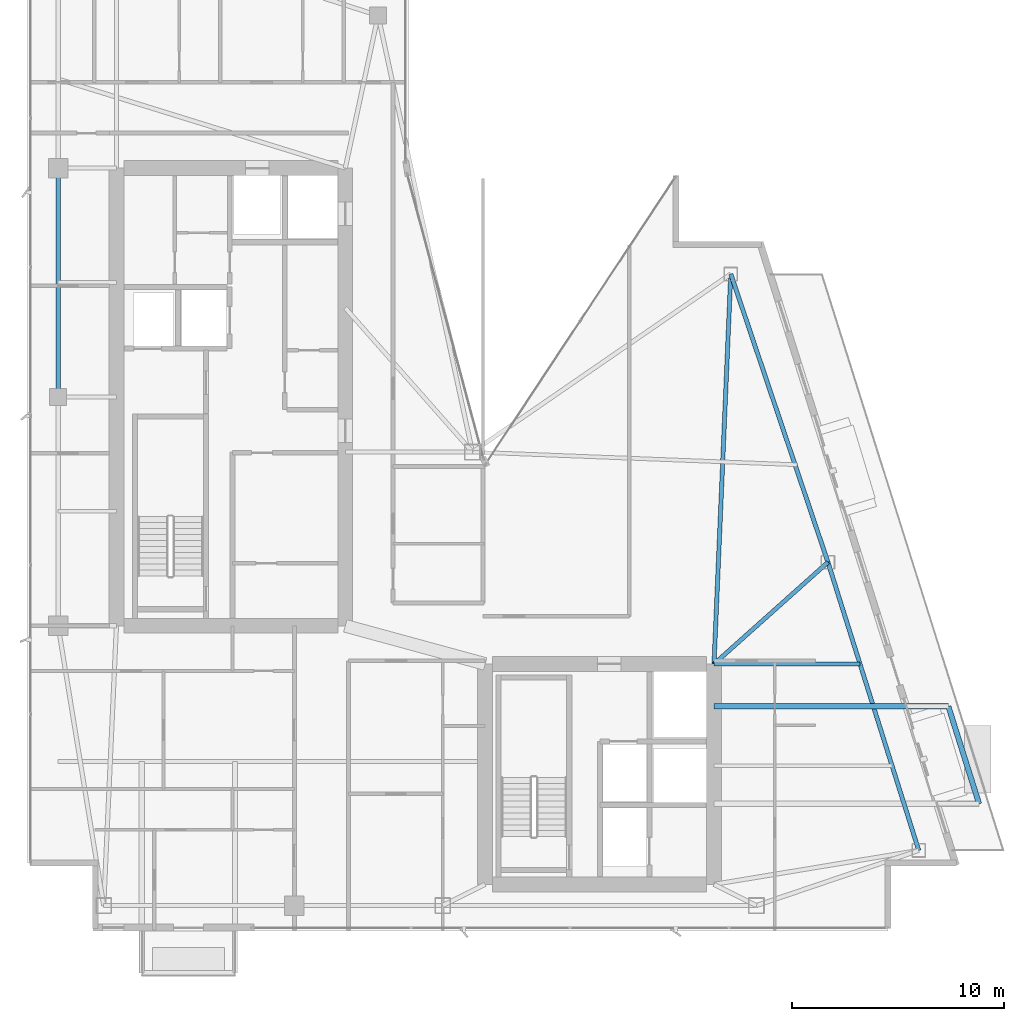
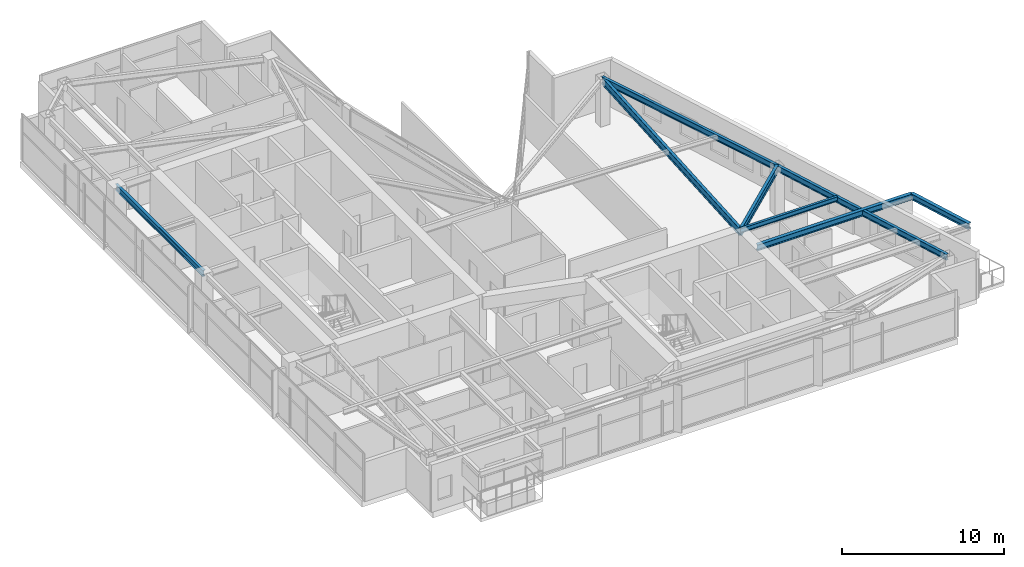
# One storey, part 15 of 28: 8 beams.
"""IFC4 building model written with IfcOpenShell, lengths in metres."""

from ifc_helpers import new_model, si_unit, direction, frame, origin, origin_2d, place, context, subcontext, project, spatial, i_section, extrude, material, material_profile, profile_set, type_object, element, save


model = new_model("IFC4")

# Units and contexts
model_context = context("Model", 3, precision=1e-05, world=origin(), true_north=direction((0.0, 1.0)))
body_context = subcontext(model_context, "Body", "Model", "MODEL_VIEW")
ifc_project = project(units=[si_unit("LENGTHUNIT", "METRE"), si_unit("AREAUNIT", "SQUARE_METRE"), si_unit("VOLUMEUNIT", "CUBIC_METRE"), si_unit("PLANEANGLEUNIT", "RADIAN"), si_unit("MASSUNIT", "GRAM", prefix="KILO")], contexts=[model_context])

# Site, building, storey
site_placement = place(None, origin())
site = spatial("IfcSite", under=ifc_project, at=site_placement, CompositionType="ELEMENT")
building_placement = place(site_placement, origin())
building = spatial("IfcBuilding", under=site, at=building_placement, Name="Calvorn Quay Hotel", CompositionType="ELEMENT")
storey_placement = place(building_placement, frame((0.0, 0.0, 263.5)))
storey = spatial("IfcBuildingStorey", under=building, at=storey_placement, Name="L65", CompositionType="ELEMENT", Elevation=263.5)

# Beams
ifc_material_1 = material(Name="Steel Q355B", Category="steel")
ifc_material_profile_1 = material_profile(ifc_material_1, i_section(OverallWidth=0.25, OverallDepth=0.449951171875, WebThickness=0.011962890625, FlangeThickness=0.01611328125, FilletRadius=0.01611328125, at=origin_2d()), Name="HN450x250x12x16")
ifc_profile_set_1 = profile_set([ifc_material_profile_1], Name="Steel Q355B")
beam_type_1 = type_object("IfcBeamType", Name="BM-CANT-BALC", PredefinedType="BEAM", material=ifc_profile_set_1)
beam_1_placement = place(storey_placement, frame((32.39990234375, 13.0, 3.31494140625), z_axis=(1.0, 0.0, 0.0), x_axis=(0.0, 1.0, 0.0)))
element("IfcBeam", 1, at=beam_1_placement, inside=storey, type_object=beam_type_1, Name="Cantilever Balcony Beam BCB-L66-1B", PredefinedType="BEAM", context=body_context, shape_type="SweptSolid", body=[
    extrude(i_section(OverallWidth=0.25, OverallDepth=0.449951171875, WebThickness=0.011962890625, FlangeThickness=0.01611328125, FilletRadius=0.01611328125, at=origin_2d()), origin(), (0.0, 0.0, 1.0), 11.05810546875),
])
beam_2_placement = place(storey_placement, frame((44.907958984375, 8.39990234375, 3.31494140625), z_axis=(-0.300620172346, 0.953743944662, 0.0), x_axis=(-0.953743944662, -0.300620172346, 0.0)))
element("IfcBeam", 2, at=beam_2_placement, inside=storey, type_object=beam_type_1, Name="Beam BCBO-L66-1", PredefinedType="BEAM", context=body_context, shape_type="SweptSolid", body=[
    extrude(i_section(OverallWidth=0.25, OverallDepth=0.449951171875, WebThickness=0.011962890625, FlangeThickness=0.01611328125, FilletRadius=0.01611328125, at=origin_2d()), origin(), (0.0, 0.0, 1.0), 4.8232421875),
])
ifc_material_2 = material(Name="Steel Q355B", Category="steel")
ifc_material_profile_2 = material_profile(ifc_material_2, i_section(OverallWidth=0.199951171875, OverallDepth=0.550048828125, WebThickness=0.010009765625, FlangeThickness=0.01611328125, FilletRadius=0.01806640625, at=origin_2d()), Name="HN550x200x10x16")
ifc_profile_set_2 = profile_set([ifc_material_profile_2], Name="Steel Q355B")
beam_type_2 = type_object("IfcBeamType", Name="BM-GIRD-UPP", PredefinedType="BEAM", material=ifc_profile_set_2)
beam_3_placement = place(storey_placement, frame((32.39990234375, 15.0, 3.264892578125), z_axis=(0.745932853197, 0.66602115471, 0.0), x_axis=(-0.66602115471, 0.745932853197, 0.0)))
element("IfcBeam", 3, at=beam_3_placement, inside=storey, type_object=beam_type_2, Name="Beam BG-L65-E2", PredefinedType="BEAM", context=body_context, shape_type="SweptSolid", body=[
    extrude(i_section(OverallWidth=0.199951171875, OverallDepth=0.550048828125, WebThickness=0.010009765625, FlangeThickness=0.01611328125, FilletRadius=0.01806640625, at=origin_2d()), origin(), (0.0, 0.0, 1.0), 7.20703125),
])
beam_4_placement = place(storey_placement, frame((32.39990234375, 15.0, 3.264892578125), z_axis=(0.042950536419, 0.999077199931, 0.0), x_axis=(-0.999077199931, 0.042950536419, 0.0)))
element("IfcBeam", 4, at=beam_4_placement, inside=storey, type_object=beam_type_2, Name="Beam BG-L65-E3", PredefinedType="BEAM", context=body_context, shape_type="SweptSolid", body=[
    extrude(i_section(OverallWidth=0.199951171875, OverallDepth=0.550048828125, WebThickness=0.010009765625, FlangeThickness=0.01611328125, FilletRadius=0.01806640625, at=origin_2d()), origin(), (0.0, 0.0, 1.0), 18.4169921875),
])
ifc_material_3 = material(Name="Steel Q355B", Category="steel")
ifc_material_profile_3 = material_profile(ifc_material_3, i_section(OverallWidth=0.175048828125, OverallDepth=0.35009765625, WebThickness=0.007080078125, FlangeThickness=0.010986328125, FilletRadius=0.013916015625, at=origin_2d()), Name="HN350x175x7x11")
ifc_profile_set_3 = profile_set([ifc_material_profile_3], Name="Steel Q355B")
beam_type_3 = type_object("IfcBeamType", Name="BM-JOIST-SEC", PredefinedType="JOIST", material=ifc_profile_set_3)
beam_5_placement = place(storey_placement, frame((32.39990234375, 15.0, 3.364990234375), z_axis=(1.0, 0.0, 0.0), x_axis=(0.0, 1.0, 0.0)))
element("IfcBeam", 5, at=beam_5_placement, inside=storey, type_object=beam_type_3, Name="Beam BJ-L65-E2", PredefinedType="JOIST", context=body_context, shape_type="SweptSolid", body=[
    extrude(i_section(OverallWidth=0.175048828125, OverallDepth=0.35009765625, WebThickness=0.007080078125, FlangeThickness=0.010986328125, FilletRadius=0.013916015625, at=origin_2d()), origin(), (0.0, 0.0, 1.0), 6.88818359375),
])
ifc_material_4 = material(Name="Steel Q355B", Category="steel")
ifc_material_profile_4 = material_profile(ifc_material_4, i_section(OverallWidth=0.199951171875, OverallDepth=0.449951171875, WebThickness=0.009033203125, FlangeThickness=0.013916015625, FilletRadius=0.01611328125, at=origin_2d()), Name="HN450x200x9x14")
ifc_profile_set_4 = profile_set([ifc_material_profile_4], Name="Steel Q355B")
beam_type_4 = type_object("IfcBeamType", Name="BM-SPANDREL-Z3", PredefinedType="SPANDREL", material=ifc_profile_set_4)
beam_6_placement = place(storey_placement, frame((1.449951171875, 27.60009765625, 3.31494140625), z_axis=(0.0, 1.0, 0.0), x_axis=(-1.0, 0.0, 0.0)))
element("IfcBeam", 6, at=beam_6_placement, inside=storey, type_object=beam_type_4, Name="Beam BSP-L65-W3", PredefinedType="SPANDREL", context=body_context, shape_type="SweptSolid", body=[
    extrude(i_section(OverallWidth=0.199951171875, OverallDepth=0.449951171875, WebThickness=0.009033203125, FlangeThickness=0.013916015625, FilletRadius=0.01611328125, at=origin_2d()), origin(), (0.0, 0.0, 1.0), 10.7998046875),
])
beam_7_placement = place(storey_placement, frame((42.06103515625, 6.199951171875, 3.31494140625), z_axis=(-0.300518378216, 0.953776024208, 0.0), x_axis=(-0.953776024208, -0.300518378216, 0.0)))
element("IfcBeam", 7, at=beam_7_placement, inside=storey, type_object=beam_type_4, Name="Beam BSP-L65-E1", PredefinedType="SPANDREL", context=body_context, shape_type="SweptSolid", body=[
    extrude(i_section(OverallWidth=0.199951171875, OverallDepth=0.449951171875, WebThickness=0.009033203125, FlangeThickness=0.013916015625, FilletRadius=0.01611328125, at=origin_2d()), origin(), (0.0, 0.0, 1.0), 14.25927734375),
])
beam_8_placement = place(storey_placement, frame((37.77587890625, 19.800048828125, 3.31494140625), z_axis=(-0.319466515944, 0.947597564998, 0.0), x_axis=(-0.947597564998, -0.319466515944, 0.0)))
element("IfcBeam", 8, at=beam_8_placement, inside=storey, type_object=beam_type_4, Name="Beam BSP-L65-E2", PredefinedType="SPANDREL", context=body_context, shape_type="SweptSolid", body=[
    extrude(i_section(OverallWidth=0.199951171875, OverallDepth=0.449951171875, WebThickness=0.009033203125, FlangeThickness=0.013916015625, FilletRadius=0.01611328125, at=origin_2d()), origin(), (0.0, 0.0, 1.0), 14.35205078125),
])

save(model, "model.ifc")
